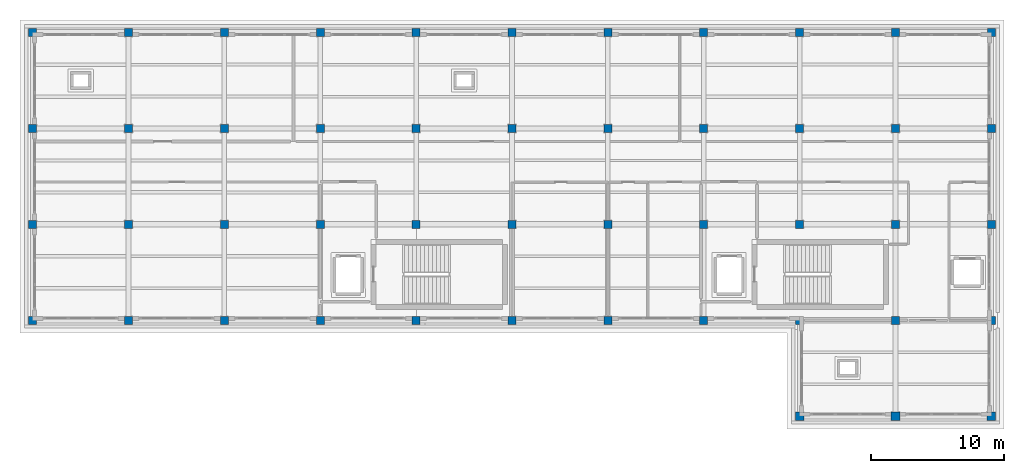
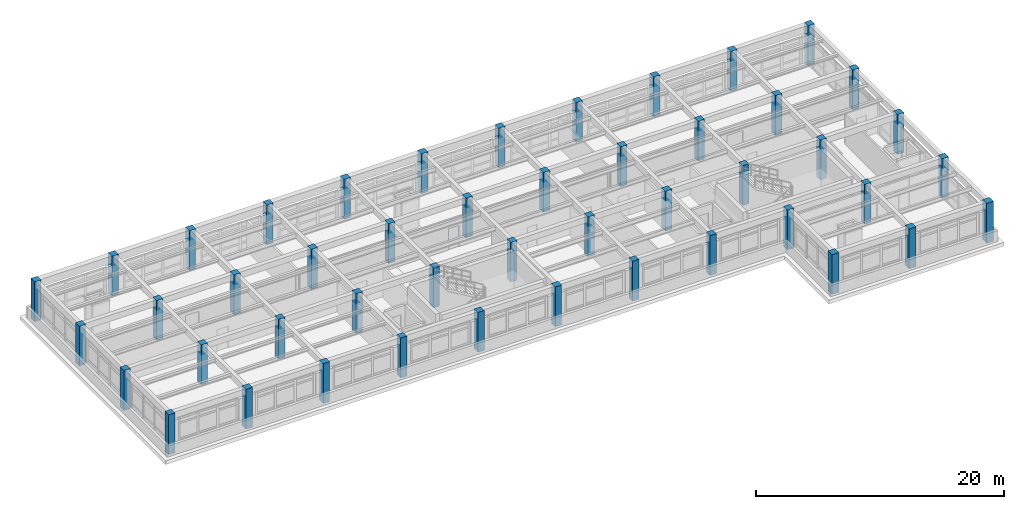
# One storey, part 1 of 19: 47 columns.
"""IFC4 building model written with IfcOpenShell, lengths in metres."""

import ifcopenshell
import ifcopenshell.guid

model = None  # the IFC model being written
_history = None  # IfcOwnerHistory: only IFC2X3 demands one
_inside = {}  # id of a spatial element -> (the spatial element, [elements in it])
_under = {}  # id of a project, library or spatial element -> (it, [spatial elements below it])
_declared = {}  # id of a project -> (the project, [libraries it declares])
_typed = {}  # id of a type object -> (the type object, [elements of that type])
_made_of = {}  # id of a material, layer set ... -> (it, [elements and type objects made of it])


def new_model(schema):
    """Start an empty IFC model of exactly this schema.

    Asked for "IFC4X3", IfcOpenShell would pick the latest addendum, in which some entities
    have other attributes; the version numbers below select the first issue.
    IFC2X3 requires an IfcOwnerHistory on every rooted entity: one is made here for all.
    """
    global model, _history
    if schema == "IFC4X3":
        model = ifcopenshell.file(schema_version=(4, 3, 0, 0))
    else:
        model = ifcopenshell.file(schema=schema)
    _inside.clear()
    _under.clear()
    _declared.clear()
    _typed.clear()
    _made_of.clear()
    _history = None
    if model.schema == "IFC2X3":
        org = make("IfcOrganization", Name="unknown")
        user = make(
            "IfcPersonAndOrganization",
            ThePerson=make("IfcPerson", FamilyName="unknown"),
            TheOrganization=org,
        )
        app = make(
            "IfcApplication",
            ApplicationDeveloper=org,
            Version="unknown",
            ApplicationFullName="unknown",
            ApplicationIdentifier="unknown",
        )
        _history = make(
            "IfcOwnerHistory",
            OwningUser=user,
            OwningApplication=app,
            ChangeAction="ADDED",
            CreationDate=0,
        )
    return model


def make(cls, **values):
    """One entity of the class cls with the attributes given. An attribute that is None is left unset."""
    return model.create_entity(
        cls, **{name: value for name, value in values.items() if value is not None}
    )


def rooted(cls, **values):
    """An entity with a GlobalId (a new one), such as an element, a storey or a relation."""
    return make(cls, GlobalId=ifcopenshell.guid.new(), OwnerHistory=_history, **values)


def si_unit(unit_type, name, prefix=None):
    """IfcSIUnit, for example si_unit("LENGTHUNIT", "METRE", prefix="MILLI")."""
    return make("IfcSIUnit", UnitType=unit_type, Prefix=prefix, Name=name)


def assignment(units):
    """IfcUnitAssignment: the units of a project."""
    return None if units is None else make("IfcUnitAssignment", Units=units)


def point(xyz):
    """IfcCartesianPoint."""
    return None if xyz is None else make("IfcCartesianPoint", Coordinates=xyz)


def direction(xyz):
    """IfcDirection."""
    return None if xyz is None else make("IfcDirection", DirectionRatios=xyz)


def frame(location, z_axis=None, x_axis=None):
    """IfcAxis2Placement3D, a coordinate frame: its origin and axes. An axis left out is left unset."""
    return make(
        "IfcAxis2Placement3D",
        Location=point(location),
        Axis=direction(z_axis),
        RefDirection=direction(x_axis),
    )


def frame_2d(location, x_axis=None):
    """IfcAxis2Placement2D, a coordinate frame in the plane: its origin and x axis."""
    return make(
        "IfcAxis2Placement2D", Location=point(location), RefDirection=direction(x_axis)
    )


def origin():
    """The frame at (0, 0, 0) with its axes left unset."""
    return frame((0.0, 0.0, 0.0))


def origin_2d():
    """The frame at (0, 0) in the plane with its x axis left unset."""
    return frame_2d((0.0, 0.0))


def place(relative_to, where):
    """IfcLocalPlacement: puts the frame where relative to a parent placement (None: the world)."""
    return make(
        "IfcLocalPlacement", PlacementRelTo=relative_to, RelativePlacement=where
    )


def context(
    kind, dimensions, precision=None, world=None, true_north=None, identifier=None
):
    """IfcGeometricRepresentationContext, for example the 3D "Model" context."""
    return make(
        "IfcGeometricRepresentationContext",
        ContextIdentifier=identifier,
        ContextType=kind,
        CoordinateSpaceDimension=dimensions,
        Precision=precision,
        WorldCoordinateSystem=world,
        TrueNorth=true_north,
    )


def subcontext(parent, identifier, kind, view, scale=None):
    """IfcGeometricRepresentationSubContext, for example "Body" below "Model"."""
    return make(
        "IfcGeometricRepresentationSubContext",
        ContextIdentifier=identifier,
        ContextType=kind,
        ParentContext=parent,
        TargetScale=scale,
        TargetView=view,
    )


def project(units=None, contexts=None):
    """IfcProject with its units and contexts."""
    return rooted(
        "IfcProject",
        Name="project",
        RepresentationContexts=contexts,
        UnitsInContext=assignment(units),
    )


def spatial(cls, under=None, at=None, **own):
    """A site, building, storey or space (cls), placed at a placement, below another one or the project."""
    s = rooted(cls, ObjectPlacement=at, **own)
    if under is not None:
        _under.setdefault(under.id(), (under, []))[1].append(s)
    return s


def profile(cls, at=None, kind="AREA", **sizes):
    """A parametric profile (cls). Its sizes go by their IFC names, for example OverallWidth=200.0."""
    return make(cls, ProfileType=kind, Position=at, **sizes)


def rectangle(**sizes):
    """IfcRectangleProfileDef."""
    return profile("IfcRectangleProfileDef", **sizes)


def extrude(swept, where, along, depth):
    """IfcExtrudedAreaSolid: the profile swept, set in the frame where, extruded along a direction by depth."""
    return make(
        "IfcExtrudedAreaSolid",
        SweptArea=swept,
        Position=where,
        ExtrudedDirection=direction(along),
        Depth=depth,
    )


def shape(context_of_items, identifier, shape_type, items):
    """IfcShapeRepresentation: the items that make up one representation, for example the "Body"."""
    return make(
        "IfcShapeRepresentation",
        ContextOfItems=context_of_items,
        RepresentationIdentifier=identifier,
        RepresentationType=shape_type,
        Items=items,
    )


def material(Name=None, Category=None):
    """IfcMaterial."""
    return make("IfcMaterial", Name=Name, Category=Category)


def material_profile(
    of_material, cross_section, Name=None, Category=None, Priority=None
):
    """IfcMaterialProfile: a cross section and its material."""
    return make(
        "IfcMaterialProfile",
        Name=Name,
        Material=of_material,
        Profile=cross_section,
        Priority=Priority,
        Category=Category,
    )


def profile_set(profiles, Name=None, composite=None):
    """IfcMaterialProfileSet."""
    return make(
        "IfcMaterialProfileSet",
        Name=Name,
        MaterialProfiles=profiles,
        CompositeProfile=composite,
    )


def made_of(thing, what):
    """Note that an element or type object is made of a material, layer set ...; save() writes the relation."""
    if what is not None:
        _made_of.setdefault(what.id(), (what, []))[1].append(thing)
    return thing


def type_object(cls, material=None, **own):
    """A type object (cls), such as IfcWallType, which elements share."""
    return made_of(rooted(cls, **own), material)


def element(
    cls,
    number,
    at=None,
    inside=None,
    cuts=None,
    type_object=None,
    material=None,
    context=None,
    identifier="Body",
    shape_type=None,
    held_by="IfcProductDefinitionShape",
    body=None,
    shapes=None,
    **own,
):
    """One element of the class cls, such as IfcWall. Its Tag is "e" and its number.

    at: its placement. inside: the storey or other place that contains it. cuts: it is an
    opening in that element (IfcRelVoidsElement). A single representation is given by context,
    identifier, shape_type and body (its items); several are given by shapes. held_by: the class
    of the entity that holds the representations. save() writes the other relations.
    """
    e = rooted(cls, Tag="e%d" % number, ObjectPlacement=at, **own)
    if body is not None:
        shapes = [shape(context, identifier, shape_type, body)]
    if shapes is not None:
        e.Representation = make(held_by, Representations=shapes)
    if inside is not None:
        _inside.setdefault(inside.id(), (inside, []))[1].append(e)
    if cuts is not None:
        rooted(
            "IfcRelVoidsElement", RelatingBuildingElement=cuts, RelatedOpeningElement=e
        )
    if type_object is not None:
        _typed.setdefault(type_object.id(), (type_object, []))[1].append(e)
    return made_of(e, material)


def aggregate(whole, parts):
    """IfcRelAggregates: a whole, such as a stair, and the parts it consists of."""
    return rooted("IfcRelAggregates", RelatingObject=whole, RelatedObjects=parts)


def save(model, path):
    """Write the relations noted so far, then the file.

    IfcRelAggregates (storeys below a building ...), IfcRelContainedInSpatialStructure (elements
    in a storey), IfcRelDefinesByType, IfcRelAssociatesMaterial and IfcRelDeclares: one each for
    every whole, place, type object, material and project.
    """
    for whole, parts in _under.values():
        aggregate(whole, parts)
    for where, things in _inside.values():
        rooted(
            "IfcRelContainedInSpatialStructure",
            RelatedElements=things,
            RelatingStructure=where,
        )
    for kind, things in _typed.values():
        rooted("IfcRelDefinesByType", RelatedObjects=things, RelatingType=kind)
    for what, things in _made_of.values():
        rooted("IfcRelAssociatesMaterial", RelatedObjects=things, RelatingMaterial=what)
    for by, libraries in _declared.values():
        rooted("IfcRelDeclares", RelatingContext=by, RelatedDefinitions=libraries)
    model.write(path)


model = new_model("IFC4")

# Units and contexts
model_context = context("Model", 3, precision=1e-05, world=origin(), true_north=direction((0.0, 1.0)))
body_context = subcontext(model_context, "Body", "Model", "MODEL_VIEW")
ifc_project = project(units=[si_unit("LENGTHUNIT", "METRE"), si_unit("AREAUNIT", "SQUARE_METRE"), si_unit("VOLUMEUNIT", "CUBIC_METRE"), si_unit("PLANEANGLEUNIT", "RADIAN"), si_unit("MASSUNIT", "GRAM", prefix="KILO")], contexts=[model_context])

# Site, building, storey
site_placement = place(None, origin())
site = spatial("IfcSite", under=ifc_project, at=site_placement, CompositionType="ELEMENT")
building_placement = place(site_placement, origin())
building = spatial("IfcBuilding", under=site, at=building_placement, Name="Solenvale Faculty of Natural Sciences", CompositionType="ELEMENT")
storey_placement = place(building_placement, frame((0.0, 0.0, 27.0)))
storey = spatial("IfcBuildingStorey", under=building, at=storey_placement, Name="L06", CompositionType="ELEMENT", Elevation=27.0)

# Columns
ifc_material = material(Name="Concrete 40 MPa", Category="concrete")
ifc_material_profile_1 = material_profile(ifc_material, rectangle(XDim=0.60009765625, YDim=0.60009765625, at=origin_2d()), Name="RC-COL-600x600")
ifc_profile_set_1 = profile_set([ifc_material_profile_1], Name="Concrete 40 MPa")
column_type_1 = type_object("IfcColumnType", Name="COL-RC-600", PredefinedType="COLUMN", material=ifc_profile_set_1)
for number, where, z_axis, x_axis, name in (
    (1, (79.199951171875, 93.60009765625, 0.0), (0.0, 0.0, 1.0), (1.0, 0.0, 0.0), "L06 Column (79.2, 93.6)"),
    (2, (79.199951171875, 100.800048828125, 0.0), (0.0, 0.0, 1.0), (1.0, 0.0, 0.0), "L06 Column (79.2, 100.8)"),
    (3, (79.199951171875, 108.0, 0.0), (0.0, 0.0, 1.0), (1.0, 0.0, 0.0), "L06 Column (79.2, 108.0)"),
    (4, (79.199951171875, 115.199951171875, 0.0), (0.0, 0.0, 1.0), (1.0, 0.0, 0.0), "L06 Column (79.2, 115.2)"),
    (5, (86.39990234375, 93.60009765625, 0.0), (0.0, 0.0, 1.0), (1.0, 0.0, 0.0), "L06 Column (86.4, 93.6)"),
    (6, (86.39990234375, 100.800048828125, 0.0), (0.0, 0.0, 1.0), (1.0, 0.0, 0.0), "L06 Column (86.4, 100.8)"),
    (7, (86.39990234375, 108.0, 0.0), (0.0, 0.0, 1.0), (1.0, 0.0, 0.0), "L06 Column (86.4, 108.0)"),
    (8, (86.39990234375, 115.199951171875, 0.0), (0.0, 0.0, 1.0), (1.0, 0.0, 0.0), "L06 Column (86.4, 115.2)"),
    (9, (93.60009765625, 93.60009765625, 0.0), (0.0, 0.0, 1.0), (1.0, 0.0, 0.0), "L06 Column (93.6, 93.6)"),
    (10, (93.60009765625, 100.800048828125, 0.0), (0.0, 0.0, 1.0), (1.0, 0.0, 0.0), "L06 Column (93.6, 100.8)"),
    (11, (93.60009765625, 108.0, 0.0), (0.0, 0.0, 1.0), (1.0, 0.0, 0.0), "L06 Column (93.6, 108.0)"),
    (12, (93.60009765625, 115.199951171875, 0.0), (0.0, 0.0, 1.0), (1.0, 0.0, 0.0), "L06 Column (93.6, 115.2)"),
    (13, (100.800048828125, 93.60009765625, 0.0), (0.0, 0.0, 1.0), (1.0, 0.0, 0.0), "L06 Column (100.8, 93.6)"),
    (14, (100.800048828125, 100.800048828125, 0.0), (0.0, 0.0, 1.0), (1.0, 0.0, 0.0), "L06 Column (100.8, 100.8)"),
    (15, (100.800048828125, 108.0, 0.0), (0.0, 0.0, 1.0), (1.0, 0.0, 0.0), "L06 Column (100.8, 108.0)"),
    (16, (100.800048828125, 115.199951171875, 0.0), (0.0, 0.0, 1.0), (1.0, 0.0, 0.0), "L06 Column (100.8, 115.2)"),
    (17, (108.0, 93.60009765625, 0.0), (0.0, 0.0, 1.0), (1.0, 0.0, 0.0), "L06 Column (108.0, 93.6)"),
    (18, (108.0, 100.800048828125, 0.0), (0.0, 0.0, 1.0), (1.0, 0.0, 0.0), "L06 Column (108.0, 100.8)"),
    (19, (108.0, 108.0, 0.0), (0.0, 0.0, 1.0), (1.0, 0.0, 0.0), "L06 Column (108.0, 108.0)"),
    (20, (108.0, 115.199951171875, 0.0), (0.0, 0.0, 1.0), (1.0, 0.0, 0.0), "L06 Column (108.0, 115.2)"),
    (21, (115.199951171875, 93.60009765625, 0.0), (0.0, 0.0, 1.0), (1.0, 0.0, 0.0), "L06 Column (115.2, 93.6)"),
    (22, (115.199951171875, 100.800048828125, 0.0), (0.0, 0.0, 1.0), (1.0, 0.0, 0.0), "L06 Column (115.2, 100.8)"),
    (23, (115.199951171875, 108.0, 0.0), (0.0, 0.0, 1.0), (1.0, 0.0, 0.0), "L06 Column (115.2, 108.0)"),
    (24, (115.199951171875, 115.199951171875, 0.0), (0.0, 0.0, 1.0), (1.0, 0.0, 0.0), "L06 Column (115.2, 115.2)"),
    (25, (122.39990234375, 93.60009765625, 0.0), (0.0, 0.0, 1.0), (1.0, 0.0, 0.0), "L06 Column (122.4, 93.6)"),
    (26, (122.39990234375, 100.800048828125, 0.0), (0.0, 0.0, 1.0), (1.0, 0.0, 0.0), "L06 Column (122.4, 100.8)"),
    (27, (122.39990234375, 108.0, 0.0), (0.0, 0.0, 1.0), (1.0, 0.0, 0.0), "L06 Column (122.4, 108.0)"),
    (28, (122.39990234375, 115.199951171875, 0.0), (0.0, 0.0, 1.0), (1.0, 0.0, 0.0), "L06 Column (122.4, 115.2)"),
    (29, (129.60009765625, 93.60009765625, 0.0), (0.0, 0.0, 1.0), (1.0, 0.0, 0.0), "L06 Column (129.6, 93.6)"),
    (30, (129.60009765625, 100.800048828125, 0.0), (0.0, 0.0, 1.0), (1.0, 0.0, 0.0), "L06 Column (129.6, 100.8)"),
    (31, (129.60009765625, 108.0, 0.0), (0.0, 0.0, 1.0), (1.0, 0.0, 0.0), "L06 Column (129.6, 108.0)"),
    (32, (129.60009765625, 115.199951171875, 0.0), (0.0, 0.0, 1.0), (1.0, 0.0, 0.0), "L06 Column (129.6, 115.2)"),
    (33, (136.800048828125, 93.60009765625, 0.0), (0.0, 0.0, 1.0), (1.0, 0.0, 0.0), "L06 Column (136.8, 93.6)"),
    (34, (136.800048828125, 100.800048828125, 0.0), (0.0, 0.0, 1.0), (1.0, 0.0, 0.0), "L06 Column (136.8, 100.8)"),
    (35, (136.800048828125, 108.0, 0.0), (0.0, 0.0, 1.0), (1.0, 0.0, 0.0), "L06 Column (136.8, 108.0)"),
    (36, (136.800048828125, 115.199951171875, 0.0), (0.0, 0.0, 1.0), (1.0, 0.0, 0.0), "L06 Column (136.8, 115.2)"),
    (37, (144.0, 93.60009765625, 0.0), (0.0, 0.0, 1.0), (1.0, 0.0, 0.0), "L06 Column (144.0, 93.6)"),
    (38, (144.0, 100.800048828125, 0.0), (0.0, 0.0, 1.0), (1.0, 0.0, 0.0), "L06 Column (144.0, 100.8)"),
    (39, (144.0, 108.0, 0.0), (0.0, 0.0, 1.0), (1.0, 0.0, 0.0), "L06 Column (144.0, 108.0)"),
    (40, (144.0, 115.199951171875, 0.0), (0.0, 0.0, 1.0), (1.0, 0.0, 0.0), "L06 Column (144.0, 115.2)"),
    (41, (151.199951171875, 93.60009765625, 0.0), (0.0, 0.0, 1.0), (1.0, 0.0, 0.0), "L06 Column (151.2, 93.6)"),
    (42, (151.199951171875, 100.800048828125, 0.0), (0.0, 0.0, 1.0), (1.0, 0.0, 0.0), "L06 Column (151.2, 100.8)"),
    (43, (151.199951171875, 108.0, 0.0), (0.0, 0.0, 1.0), (1.0, 0.0, 0.0), "L06 Column (151.2, 108.0)"),
    (44, (151.199951171875, 115.199951171875, 0.0), (0.0, 0.0, 1.0), (1.0, 0.0, 0.0), "L06 Column (151.2, 115.2)"),
):
    element("IfcColumn", number, at=place(storey_placement, frame(where, z_axis=z_axis, x_axis=x_axis)), inside=storey, type_object=column_type_1, Name=name, PredefinedType="COLUMN", context=body_context, shape_type="SweptSolid", body=[
        extrude(rectangle(XDim=0.60009765625, YDim=0.60009765625, at=origin_2d()), origin(), (0.0, 0.0, 1.0), 3.919921875),
    ])
ifc_material_profile_2 = material_profile(ifc_material, rectangle(XDim=0.64990234375, YDim=0.64990234375, at=origin_2d()), Name="RC-COL-650x650")
ifc_profile_set_2 = profile_set([ifc_material_profile_2], Name="Concrete 40 MPa")
column_type_2 = type_object("IfcColumnType", Name="COL-RC-650", PredefinedType="COLUMN", material=ifc_profile_set_2)
for number, where, z_axis, x_axis, name in (
    (45, (136.800048828125, 86.39990234375, 0.0), (0.0, 0.0, 1.0), (1.0, 0.0, 0.0), "L06 Column (136.8, 86.4)"),
    (46, (144.0, 86.39990234375, 0.0), (0.0, 0.0, 1.0), (1.0, 0.0, 0.0), "L06 Column (144.0, 86.4)"),
    (47, (151.199951171875, 86.39990234375, 0.0), (0.0, 0.0, 1.0), (1.0, 0.0, 0.0), "L06 Column (151.2, 86.4)"),
):
    element("IfcColumn", number, at=place(storey_placement, frame(where, z_axis=z_axis, x_axis=x_axis)), inside=storey, type_object=column_type_2, Name=name, PredefinedType="COLUMN", context=body_context, shape_type="SweptSolid", body=[
        extrude(rectangle(XDim=0.64990234375, YDim=0.64990234375, at=origin_2d()), origin(), (0.0, 0.0, 1.0), 3.919921875),
    ])

save(model, "model.ifc")
